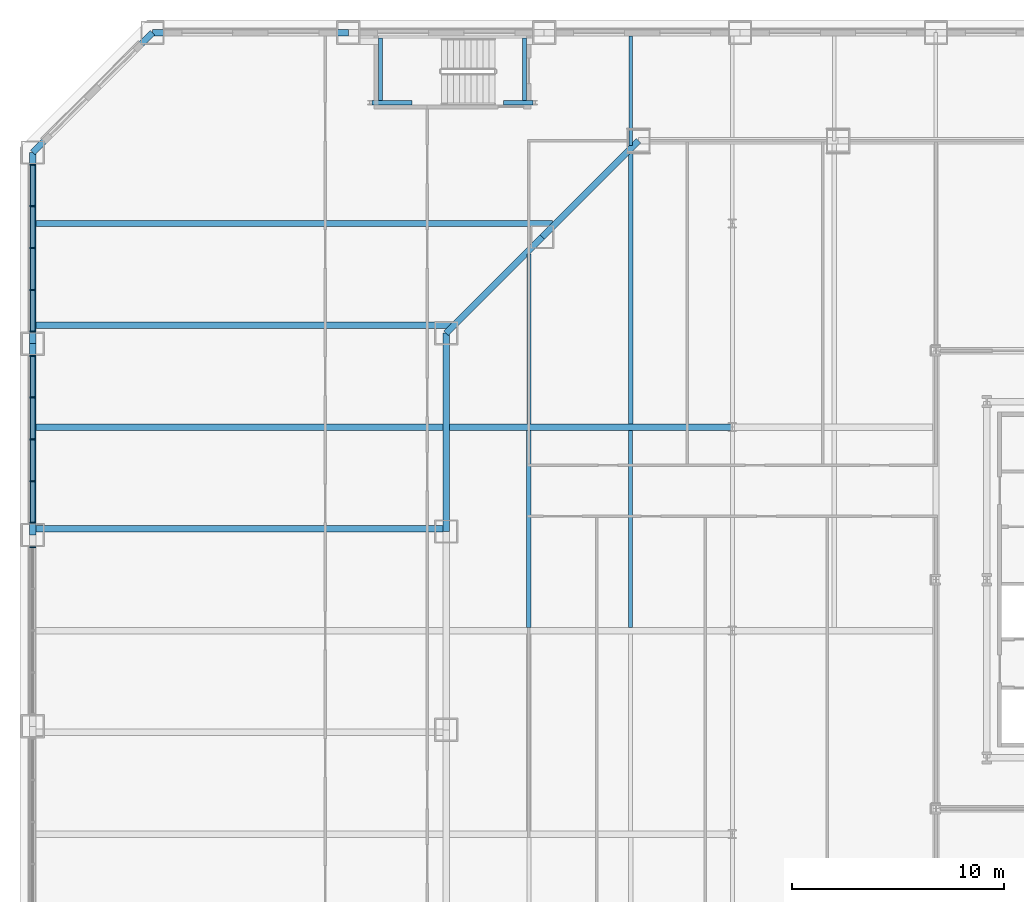
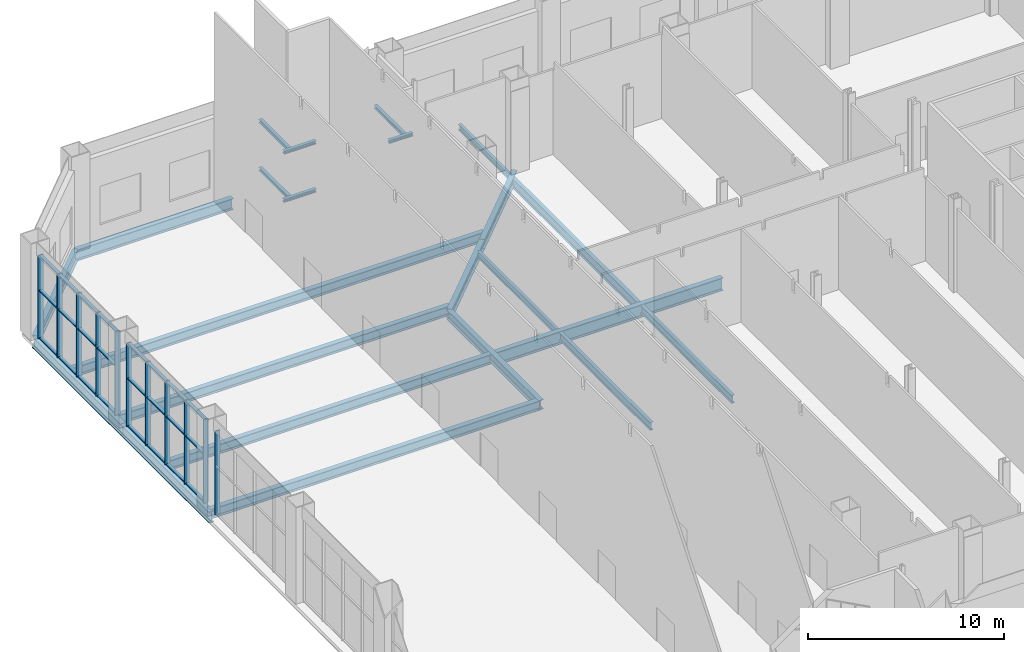
# One storey, part 11 of 31: 35 members, 23 beams, 3 elements without a shape of their own.
"""IFC4 building model written with IfcOpenShell, lengths in metres."""

from ifc_helpers import new_model, si_unit, direction, frame, origin, origin_2d, place, context, subcontext, project, spatial, rectangle, i_section, extrude, material, material_profile, profile_set, type_object, element, aggregate, save


model = new_model("IFC4")

# Units and contexts
model_context = context("Model", 3, precision=1e-05, world=origin(), true_north=direction((0.0, 1.0)))
body_context = subcontext(model_context, "Body", "Model", "MODEL_VIEW")
ifc_project = project(units=[si_unit("LENGTHUNIT", "METRE"), si_unit("AREAUNIT", "SQUARE_METRE"), si_unit("VOLUMEUNIT", "CUBIC_METRE"), si_unit("PLANEANGLEUNIT", "RADIAN"), si_unit("MASSUNIT", "GRAM", prefix="KILO")], contexts=[model_context])

# Site, building, storey
site_placement = place(None, origin())
site = spatial("IfcSite", under=ifc_project, at=site_placement, CompositionType="ELEMENT")
building_placement = place(site_placement, origin())
building = spatial("IfcBuilding", under=site, at=building_placement, Name="Cairn Pilgrim Tower", CompositionType="ELEMENT")
storey_placement = place(building_placement, frame((0.0, 0.0, 9.0)))
storey = spatial("IfcBuildingStorey", under=building, at=storey_placement, Name="L01", CompositionType="ELEMENT", Elevation=9.0)

# Curtain wall, members
ifc_material_1 = material(Name="Bronze anodised aluminium with Tinted laminated low-E glass", Category="aluminium")
curtain_wall_type = type_object("IfcCurtainWallType", Name="HALL CW", PredefinedType="NOTDEFINED", material=ifc_material_1)
curtain_wall_1_placement = place(storey_placement, origin())
curtain_wall_1 = element("IfcCurtainWall", 1, at=curtain_wall_1_placement, inside=storey, type_object=curtain_wall_type, Name="HALL CW L01 W1-W2", PredefinedType="NOTDEFINED")
ifc_material_2 = material(Name="Bronze anodised aluminium", Category="aluminium")
ifc_material_profile_1 = material_profile(ifc_material_2, rectangle(XDim=0.300048828125, YDim=0.06005859375, at=origin_2d()), Name="HALL MULLION 60x300 BRONZE")
ifc_profile_set_1 = profile_set([ifc_material_profile_1], Name="Bronze anodised aluminium")
member_type_1 = type_object("IfcMemberType", Name="HALL MULLION 60x300 BRONZE", PredefinedType="MULLION", material=ifc_profile_set_1)
member_1_placement = place(storey_placement, frame((-47.39990234375, 21.971435546875, 0.0), z_axis=(0.0, 0.0, 1.0), x_axis=(1.0, 0.0, 0.0)))
member_1 = element("IfcMember", 2, at=member_1_placement, type_object=member_type_1, Name="HCW-W1-W2 mullion 1", PredefinedType="MULLION", context=body_context, shape_type="SweptSolid", body=[
    extrude(rectangle(XDim=0.300048828125, YDim=0.06005859375, at=origin_2d()), origin(), (0.0, 0.0, 1.0), 5.199951171875),
])
member_2_placement = place(storey_placement, frame((-47.39990234375, 20.021240234375, 0.0), z_axis=(0.0, 0.0, 1.0), x_axis=(1.0, 0.0, 0.0)))
member_2 = element("IfcMember", 3, at=member_2_placement, type_object=member_type_1, Name="HCW-W1-W2 mullion 2", PredefinedType="MULLION", context=body_context, shape_type="SweptSolid", body=[
    extrude(rectangle(XDim=0.300048828125, YDim=0.06005859375, at=origin_2d()), origin(), (0.0, 0.0, 1.0), 5.199951171875),
])
member_3_placement = place(storey_placement, frame((-47.39990234375, 18.041259765625, 0.0), z_axis=(0.0, 0.0, 1.0), x_axis=(1.0, 0.0, 0.0)))
member_3 = element("IfcMember", 4, at=member_3_placement, type_object=member_type_1, Name="HCW-W1-W2 mullion 3", PredefinedType="MULLION", context=body_context, shape_type="SweptSolid", body=[
    extrude(rectangle(XDim=0.300048828125, YDim=0.06005859375, at=origin_2d()), origin(), (0.0, 0.0, 1.0), 5.199951171875),
])
member_4_placement = place(storey_placement, frame((-47.39990234375, 16.06103515625, 0.0), z_axis=(0.0, 0.0, 1.0), x_axis=(1.0, 0.0, 0.0)))
member_4 = element("IfcMember", 5, at=member_4_placement, type_object=member_type_1, Name="HCW-W1-W2 mullion 4", PredefinedType="MULLION", context=body_context, shape_type="SweptSolid", body=[
    extrude(rectangle(XDim=0.300048828125, YDim=0.06005859375, at=origin_2d()), origin(), (0.0, 0.0, 1.0), 5.199951171875),
])
member_5_placement = place(storey_placement, frame((-47.39990234375, 14.11083984375, 0.0), z_axis=(0.0, 0.0, 1.0), x_axis=(1.0, 0.0, 0.0)))
member_5 = element("IfcMember", 6, at=member_5_placement, type_object=member_type_1, Name="HCW-W1-W2 mullion 5", PredefinedType="MULLION", context=body_context, shape_type="SweptSolid", body=[
    extrude(rectangle(XDim=0.300048828125, YDim=0.06005859375, at=origin_2d()), origin(), (0.0, 0.0, 1.0), 5.199951171875),
])

curtain_wall_2_placement = place(storey_placement, origin())
curtain_wall_2 = element("IfcCurtainWall", 7, at=curtain_wall_2_placement, inside=storey, type_object=curtain_wall_type, Name="HALL CW L01 W2-W3", PredefinedType="NOTDEFINED")
member_6_placement = place(storey_placement, frame((-47.39990234375, 12.950927734375, 0.0), z_axis=(0.0, 0.0, 1.0), x_axis=(1.0, 0.0, 0.0)))
member_6 = element("IfcMember", 8, at=member_6_placement, type_object=member_type_1, Name="HCW-W2-W3 mullion 1", PredefinedType="MULLION", context=body_context, shape_type="SweptSolid", body=[
    extrude(rectangle(XDim=0.300048828125, YDim=0.06005859375, at=origin_2d()), origin(), (0.0, 0.0, 1.0), 5.199951171875),
])
member_7_placement = place(storey_placement, frame((-47.39990234375, 11.000732421875, 0.0), z_axis=(0.0, 0.0, 1.0), x_axis=(1.0, 0.0, 0.0)))
member_7 = element("IfcMember", 9, at=member_7_placement, type_object=member_type_1, Name="HCW-W2-W3 mullion 2", PredefinedType="MULLION", context=body_context, shape_type="SweptSolid", body=[
    extrude(rectangle(XDim=0.300048828125, YDim=0.06005859375, at=origin_2d()), origin(), (0.0, 0.0, 1.0), 5.199951171875),
])
member_8_placement = place(storey_placement, frame((-47.39990234375, 9.0205078125, 0.0), z_axis=(0.0, 0.0, 1.0), x_axis=(1.0, 0.0, 0.0)))
member_8 = element("IfcMember", 10, at=member_8_placement, type_object=member_type_1, Name="HCW-W2-W3 mullion 3", PredefinedType="MULLION", context=body_context, shape_type="SweptSolid", body=[
    extrude(rectangle(XDim=0.300048828125, YDim=0.06005859375, at=origin_2d()), origin(), (0.0, 0.0, 1.0), 5.199951171875),
])
member_9_placement = place(storey_placement, frame((-47.39990234375, 7.04052734375, 0.0), z_axis=(0.0, 0.0, 1.0), x_axis=(1.0, 0.0, 0.0)))
member_9 = element("IfcMember", 11, at=member_9_placement, type_object=member_type_1, Name="HCW-W2-W3 mullion 4", PredefinedType="MULLION", context=body_context, shape_type="SweptSolid", body=[
    extrude(rectangle(XDim=0.300048828125, YDim=0.06005859375, at=origin_2d()), origin(), (0.0, 0.0, 1.0), 5.199951171875),
])
member_10_placement = place(storey_placement, frame((-47.39990234375, 5.09033203125, 0.0), z_axis=(0.0, 0.0, 1.0), x_axis=(1.0, 0.0, 0.0)))
member_10 = element("IfcMember", 12, at=member_10_placement, type_object=member_type_1, Name="HCW-W2-W3 mullion 5", PredefinedType="MULLION", context=body_context, shape_type="SweptSolid", body=[
    extrude(rectangle(XDim=0.300048828125, YDim=0.06005859375, at=origin_2d()), origin(), (0.0, 0.0, 1.0), 5.199951171875),
])

# Curtain wall, member
curtain_wall_3_placement = place(storey_placement, origin())
curtain_wall_3 = element("IfcCurtainWall", 13, at=curtain_wall_3_placement, inside=storey, type_object=curtain_wall_type, Name="HALL CW L01 W3-W4", PredefinedType="NOTDEFINED")
member_11_placement = place(storey_placement, frame((-47.39990234375, 3.930419921875, 0.0), z_axis=(0.0, 0.0, 1.0), x_axis=(1.0, 0.0, 0.0)))
member_11 = element("IfcMember", 14, at=member_11_placement, type_object=member_type_1, Name="HCW-W3-W4 mullion 1", PredefinedType="MULLION", context=body_context, shape_type="SweptSolid", body=[
    extrude(rectangle(XDim=0.300048828125, YDim=0.06005859375, at=origin_2d()), origin(), (0.0, 0.0, 1.0), 5.199951171875),
])
aggregate(curtain_wall_3, [member_11])

# Member
ifc_material_profile_2 = material_profile(ifc_material_2, rectangle(XDim=0.199951171875, YDim=0.06005859375, at=origin_2d()), Name="HALL TRANSOM 60x200 BRONZE")
ifc_profile_set_2 = profile_set([ifc_material_profile_2], Name="Bronze anodised aluminium")
member_type_2 = type_object("IfcMemberType", Name="HALL TRANSOM 60x200 BRONZE", PredefinedType="USERDEFINED", material=ifc_profile_set_2)
member_12_placement = place(storey_placement, frame((-47.39990234375, 21.94140625, 0.030029296875), z_axis=(0.0, -1.0, 0.0), x_axis=(1.0, 0.0, 0.0)))
member_12 = element("IfcMember", 15, at=member_12_placement, type_object=member_type_2, Name="HCW-W1-W2 transom 1.1", ObjectType="TRANSOM", PredefinedType="USERDEFINED", context=body_context, shape_type="SweptSolid", body=[
    extrude(rectangle(XDim=0.199951171875, YDim=0.06005859375, at=origin_2d()), origin(), (0.0, 0.0, 1.0), 1.89013671875),
])

member_13_placement = place(storey_placement, frame((-47.39990234375, 21.94140625, 3.0), z_axis=(0.0, -1.0, 0.0), x_axis=(1.0, 0.0, 0.0)))
member_13 = element("IfcMember", 16, at=member_13_placement, type_object=member_type_2, Name="HCW-W1-W2 transom 1.2", ObjectType="TRANSOM", PredefinedType="USERDEFINED", context=body_context, shape_type="SweptSolid", body=[
    extrude(rectangle(XDim=0.199951171875, YDim=0.06005859375, at=origin_2d()), origin(), (0.0, 0.0, 1.0), 1.89013671875),
])

member_14_placement = place(storey_placement, frame((-47.39990234375, 21.94140625, 5.169921875), z_axis=(0.0, -1.0, 0.0), x_axis=(1.0, 0.0, 0.0)))
member_14 = element("IfcMember", 17, at=member_14_placement, type_object=member_type_2, Name="HCW-W1-W2 transom 1.3", ObjectType="TRANSOM", PredefinedType="USERDEFINED", context=body_context, shape_type="SweptSolid", body=[
    extrude(rectangle(XDim=0.199951171875, YDim=0.06005859375, at=origin_2d()), origin(), (0.0, 0.0, 1.0), 1.89013671875),
])

member_15_placement = place(storey_placement, frame((-47.39990234375, 19.991455078125, 0.030029296875), z_axis=(0.0, -1.0, 0.0), x_axis=(1.0, 0.0, 0.0)))
member_15 = element("IfcMember", 18, at=member_15_placement, type_object=member_type_2, Name="HCW-W1-W2 transom 2.1", ObjectType="TRANSOM", PredefinedType="USERDEFINED", context=body_context, shape_type="SweptSolid", body=[
    extrude(rectangle(XDim=0.199951171875, YDim=0.06005859375, at=origin_2d()), origin(), (0.0, 0.0, 1.0), 1.920166015625),
])

member_16_placement = place(storey_placement, frame((-47.39990234375, 19.991455078125, 3.0), z_axis=(0.0, -1.0, 0.0), x_axis=(1.0, 0.0, 0.0)))
member_16 = element("IfcMember", 19, at=member_16_placement, type_object=member_type_2, Name="HCW-W1-W2 transom 2.2", ObjectType="TRANSOM", PredefinedType="USERDEFINED", context=body_context, shape_type="SweptSolid", body=[
    extrude(rectangle(XDim=0.199951171875, YDim=0.06005859375, at=origin_2d()), origin(), (0.0, 0.0, 1.0), 1.920166015625),
])

member_17_placement = place(storey_placement, frame((-47.39990234375, 19.991455078125, 5.169921875), z_axis=(0.0, -1.0, 0.0), x_axis=(1.0, 0.0, 0.0)))
member_17 = element("IfcMember", 20, at=member_17_placement, type_object=member_type_2, Name="HCW-W1-W2 transom 2.3", ObjectType="TRANSOM", PredefinedType="USERDEFINED", context=body_context, shape_type="SweptSolid", body=[
    extrude(rectangle(XDim=0.199951171875, YDim=0.06005859375, at=origin_2d()), origin(), (0.0, 0.0, 1.0), 1.920166015625),
])

member_18_placement = place(storey_placement, frame((-47.39990234375, 18.01123046875, 0.030029296875), z_axis=(0.0, -1.0, 0.0), x_axis=(1.0, 0.0, 0.0)))
member_18 = element("IfcMember", 21, at=member_18_placement, type_object=member_type_2, Name="HCW-W1-W2 transom 3.1", ObjectType="TRANSOM", PredefinedType="USERDEFINED", context=body_context, shape_type="SweptSolid", body=[
    extrude(rectangle(XDim=0.199951171875, YDim=0.06005859375, at=origin_2d()), origin(), (0.0, 0.0, 1.0), 1.920166015625),
])

member_19_placement = place(storey_placement, frame((-47.39990234375, 18.01123046875, 3.0), z_axis=(0.0, -1.0, 0.0), x_axis=(1.0, 0.0, 0.0)))
member_19 = element("IfcMember", 22, at=member_19_placement, type_object=member_type_2, Name="HCW-W1-W2 transom 3.2", ObjectType="TRANSOM", PredefinedType="USERDEFINED", context=body_context, shape_type="SweptSolid", body=[
    extrude(rectangle(XDim=0.199951171875, YDim=0.06005859375, at=origin_2d()), origin(), (0.0, 0.0, 1.0), 1.920166015625),
])

member_20_placement = place(storey_placement, frame((-47.39990234375, 18.01123046875, 5.169921875), z_axis=(0.0, -1.0, 0.0), x_axis=(1.0, 0.0, 0.0)))
member_20 = element("IfcMember", 23, at=member_20_placement, type_object=member_type_2, Name="HCW-W1-W2 transom 3.3", ObjectType="TRANSOM", PredefinedType="USERDEFINED", context=body_context, shape_type="SweptSolid", body=[
    extrude(rectangle(XDim=0.199951171875, YDim=0.06005859375, at=origin_2d()), origin(), (0.0, 0.0, 1.0), 1.920166015625),
])

member_21_placement = place(storey_placement, frame((-47.39990234375, 16.031005859375, 0.030029296875), z_axis=(0.0, -1.0, 0.0), x_axis=(1.0, 0.0, 0.0)))
member_21 = element("IfcMember", 24, at=member_21_placement, type_object=member_type_2, Name="HCW-W1-W2 transom 4.1", ObjectType="TRANSOM", PredefinedType="USERDEFINED", context=body_context, shape_type="SweptSolid", body=[
    extrude(rectangle(XDim=0.199951171875, YDim=0.06005859375, at=origin_2d()), origin(), (0.0, 0.0, 1.0), 1.89013671875),
])

member_22_placement = place(storey_placement, frame((-47.39990234375, 16.031005859375, 3.0), z_axis=(0.0, -1.0, 0.0), x_axis=(1.0, 0.0, 0.0)))
member_22 = element("IfcMember", 25, at=member_22_placement, type_object=member_type_2, Name="HCW-W1-W2 transom 4.2", ObjectType="TRANSOM", PredefinedType="USERDEFINED", context=body_context, shape_type="SweptSolid", body=[
    extrude(rectangle(XDim=0.199951171875, YDim=0.06005859375, at=origin_2d()), origin(), (0.0, 0.0, 1.0), 1.89013671875),
])

member_23_placement = place(storey_placement, frame((-47.39990234375, 16.031005859375, 5.169921875), z_axis=(0.0, -1.0, 0.0), x_axis=(1.0, 0.0, 0.0)))
member_23 = element("IfcMember", 26, at=member_23_placement, type_object=member_type_2, Name="HCW-W1-W2 transom 4.3", ObjectType="TRANSOM", PredefinedType="USERDEFINED", context=body_context, shape_type="SweptSolid", body=[
    extrude(rectangle(XDim=0.199951171875, YDim=0.06005859375, at=origin_2d()), origin(), (0.0, 0.0, 1.0), 1.89013671875),
])

aggregate(curtain_wall_1, [member_1, member_2, member_3, member_4, member_5, member_12, member_13, member_14, member_15, member_16, member_17, member_18, member_19, member_20, member_21, member_22, member_23])

member_24_placement = place(storey_placement, frame((-47.39990234375, 12.9208984375, 0.030029296875), z_axis=(0.0, -1.0, 0.0), x_axis=(1.0, 0.0, 0.0)))
member_24 = element("IfcMember", 27, at=member_24_placement, type_object=member_type_2, Name="HCW-W2-W3 transom 1.1", ObjectType="TRANSOM", PredefinedType="USERDEFINED", context=body_context, shape_type="SweptSolid", body=[
    extrude(rectangle(XDim=0.199951171875, YDim=0.06005859375, at=origin_2d()), origin(), (0.0, 0.0, 1.0), 1.89013671875),
])

member_25_placement = place(storey_placement, frame((-47.39990234375, 12.9208984375, 3.0), z_axis=(0.0, -1.0, 0.0), x_axis=(1.0, 0.0, 0.0)))
member_25 = element("IfcMember", 28, at=member_25_placement, type_object=member_type_2, Name="HCW-W2-W3 transom 1.2", ObjectType="TRANSOM", PredefinedType="USERDEFINED", context=body_context, shape_type="SweptSolid", body=[
    extrude(rectangle(XDim=0.199951171875, YDim=0.06005859375, at=origin_2d()), origin(), (0.0, 0.0, 1.0), 1.89013671875),
])

member_26_placement = place(storey_placement, frame((-47.39990234375, 12.9208984375, 5.169921875), z_axis=(0.0, -1.0, 0.0), x_axis=(1.0, 0.0, 0.0)))
member_26 = element("IfcMember", 29, at=member_26_placement, type_object=member_type_2, Name="HCW-W2-W3 transom 1.3", ObjectType="TRANSOM", PredefinedType="USERDEFINED", context=body_context, shape_type="SweptSolid", body=[
    extrude(rectangle(XDim=0.199951171875, YDim=0.06005859375, at=origin_2d()), origin(), (0.0, 0.0, 1.0), 1.89013671875),
])

member_27_placement = place(storey_placement, frame((-47.39990234375, 10.970703125, 0.030029296875), z_axis=(0.0, -1.0, 0.0), x_axis=(1.0, 0.0, 0.0)))
member_27 = element("IfcMember", 30, at=member_27_placement, type_object=member_type_2, Name="HCW-W2-W3 transom 2.1", ObjectType="TRANSOM", PredefinedType="USERDEFINED", context=body_context, shape_type="SweptSolid", body=[
    extrude(rectangle(XDim=0.199951171875, YDim=0.06005859375, at=origin_2d()), origin(), (0.0, 0.0, 1.0), 1.920166015625),
])

member_28_placement = place(storey_placement, frame((-47.39990234375, 10.970703125, 3.0), z_axis=(0.0, -1.0, 0.0), x_axis=(1.0, 0.0, 0.0)))
member_28 = element("IfcMember", 31, at=member_28_placement, type_object=member_type_2, Name="HCW-W2-W3 transom 2.2", ObjectType="TRANSOM", PredefinedType="USERDEFINED", context=body_context, shape_type="SweptSolid", body=[
    extrude(rectangle(XDim=0.199951171875, YDim=0.06005859375, at=origin_2d()), origin(), (0.0, 0.0, 1.0), 1.920166015625),
])

member_29_placement = place(storey_placement, frame((-47.39990234375, 10.970703125, 5.169921875), z_axis=(0.0, -1.0, 0.0), x_axis=(1.0, 0.0, 0.0)))
member_29 = element("IfcMember", 32, at=member_29_placement, type_object=member_type_2, Name="HCW-W2-W3 transom 2.3", ObjectType="TRANSOM", PredefinedType="USERDEFINED", context=body_context, shape_type="SweptSolid", body=[
    extrude(rectangle(XDim=0.199951171875, YDim=0.06005859375, at=origin_2d()), origin(), (0.0, 0.0, 1.0), 1.920166015625),
])

member_30_placement = place(storey_placement, frame((-47.39990234375, 8.990478515625, 0.030029296875), z_axis=(0.0, -1.0, 0.0), x_axis=(1.0, 0.0, 0.0)))
member_30 = element("IfcMember", 33, at=member_30_placement, type_object=member_type_2, Name="HCW-W2-W3 transom 3.1", ObjectType="TRANSOM", PredefinedType="USERDEFINED", context=body_context, shape_type="SweptSolid", body=[
    extrude(rectangle(XDim=0.199951171875, YDim=0.06005859375, at=origin_2d()), origin(), (0.0, 0.0, 1.0), 1.919921875),
])

member_31_placement = place(storey_placement, frame((-47.39990234375, 8.990478515625, 3.0), z_axis=(0.0, -1.0, 0.0), x_axis=(1.0, 0.0, 0.0)))
member_31 = element("IfcMember", 34, at=member_31_placement, type_object=member_type_2, Name="HCW-W2-W3 transom 3.2", ObjectType="TRANSOM", PredefinedType="USERDEFINED", context=body_context, shape_type="SweptSolid", body=[
    extrude(rectangle(XDim=0.199951171875, YDim=0.06005859375, at=origin_2d()), origin(), (0.0, 0.0, 1.0), 1.919921875),
])

member_32_placement = place(storey_placement, frame((-47.39990234375, 8.990478515625, 5.169921875), z_axis=(0.0, -1.0, 0.0), x_axis=(1.0, 0.0, 0.0)))
member_32 = element("IfcMember", 35, at=member_32_placement, type_object=member_type_2, Name="HCW-W2-W3 transom 3.3", ObjectType="TRANSOM", PredefinedType="USERDEFINED", context=body_context, shape_type="SweptSolid", body=[
    extrude(rectangle(XDim=0.199951171875, YDim=0.06005859375, at=origin_2d()), origin(), (0.0, 0.0, 1.0), 1.919921875),
])

member_33_placement = place(storey_placement, frame((-47.39990234375, 7.010498046875, 0.030029296875), z_axis=(0.0, -1.0, 0.0), x_axis=(1.0, 0.0, 0.0)))
member_33 = element("IfcMember", 36, at=member_33_placement, type_object=member_type_2, Name="HCW-W2-W3 transom 4.1", ObjectType="TRANSOM", PredefinedType="USERDEFINED", context=body_context, shape_type="SweptSolid", body=[
    extrude(rectangle(XDim=0.199951171875, YDim=0.06005859375, at=origin_2d()), origin(), (0.0, 0.0, 1.0), 1.89013671875),
])

member_34_placement = place(storey_placement, frame((-47.39990234375, 7.010498046875, 3.0), z_axis=(0.0, -1.0, 0.0), x_axis=(1.0, 0.0, 0.0)))
member_34 = element("IfcMember", 37, at=member_34_placement, type_object=member_type_2, Name="HCW-W2-W3 transom 4.2", ObjectType="TRANSOM", PredefinedType="USERDEFINED", context=body_context, shape_type="SweptSolid", body=[
    extrude(rectangle(XDim=0.199951171875, YDim=0.06005859375, at=origin_2d()), origin(), (0.0, 0.0, 1.0), 1.89013671875),
])

member_35_placement = place(storey_placement, frame((-47.39990234375, 7.010498046875, 5.169921875), z_axis=(0.0, -1.0, 0.0), x_axis=(1.0, 0.0, 0.0)))
member_35 = element("IfcMember", 38, at=member_35_placement, type_object=member_type_2, Name="HCW-W2-W3 transom 4.3", ObjectType="TRANSOM", PredefinedType="USERDEFINED", context=body_context, shape_type="SweptSolid", body=[
    extrude(rectangle(XDim=0.199951171875, YDim=0.06005859375, at=origin_2d()), origin(), (0.0, 0.0, 1.0), 1.89013671875),
])

aggregate(curtain_wall_2, [member_6, member_7, member_8, member_9, member_10, member_24, member_25, member_26, member_27, member_28, member_29, member_30, member_31, member_32, member_33, member_34, member_35])

# Beams
ifc_material_3 = material(Name="Structural steel S355J2", Category="steel")
ifc_material_profile_3 = material_profile(ifc_material_3, i_section(OverallWidth=0.300048828125, OverallDepth=0.60009765625, WebThickness=0.015380859375, FlangeThickness=0.030029296875, FilletRadius=0.027099609375, at=origin_2d()), Name="HEB 600")
ifc_profile_set_3 = profile_set([ifc_material_profile_3], Name="Structural steel S355J2")
beam_type_1 = type_object("IfcBeamType", Name="PODIUM BEAM HE 600 B", PredefinedType="BEAM", material=ifc_profile_set_3)
beam_1_placement = place(storey_placement, frame((-47.39990234375, 4.800048828125, -0.5), z_axis=(1.0, 0.0, 0.0), x_axis=(0.0, 1.0, 0.0)))
element("IfcBeam", 39, at=beam_1_placement, inside=storey, type_object=beam_type_1, Name="PODIUM BEAM PB-HE600B", PredefinedType="BEAM", context=body_context, shape_type="SweptSolid", body=[
    extrude(i_section(OverallWidth=0.300048828125, OverallDepth=0.60009765625, WebThickness=0.015380859375, FlangeThickness=0.030029296875, FilletRadius=0.027099609375, at=origin_2d()), origin(), (0.0, 0.0, 1.0), 19.5),
])
beam_2_placement = place(storey_placement, frame((-47.248046875, 9.60009765625, -0.5), z_axis=(1.0, 0.0, 0.0), x_axis=(0.0, 1.0, 0.0)))
element("IfcBeam", 40, at=beam_2_placement, inside=storey, type_object=beam_type_1, Name="PODIUM BEAM PB-HE600B", PredefinedType="BEAM", context=body_context, shape_type="SweptSolid", body=[
    extrude(i_section(OverallWidth=0.300048828125, OverallDepth=0.60009765625, WebThickness=0.015380859375, FlangeThickness=0.030029296875, FilletRadius=0.027099609375, at=origin_2d()), origin(), (0.0, 0.0, 1.0), 19.196044921875),
])
beam_3_placement = place(storey_placement, frame((-47.248046875, 14.39990234375, -0.5), z_axis=(1.0, 0.0, 0.0), x_axis=(0.0, 1.0, 0.0)))
element("IfcBeam", 41, at=beam_3_placement, inside=storey, type_object=beam_type_1, Name="PODIUM BEAM PB-HE600B", PredefinedType="BEAM", context=body_context, shape_type="SweptSolid", body=[
    extrude(i_section(OverallWidth=0.300048828125, OverallDepth=0.60009765625, WebThickness=0.015380859375, FlangeThickness=0.030029296875, FilletRadius=0.027099609375, at=origin_2d()), origin(), (0.0, 0.0, 1.0), 19.56884765625),
])
beam_4_placement = place(storey_placement, frame((-47.248046875, 19.199951171875, -0.5), z_axis=(1.0, 0.0, 0.0), x_axis=(0.0, 1.0, 0.0)))
element("IfcBeam", 42, at=beam_4_placement, inside=storey, type_object=beam_type_1, Name="PODIUM BEAM PB-HE600B", PredefinedType="BEAM", context=body_context, shape_type="SweptSolid", body=[
    extrude(i_section(OverallWidth=0.300048828125, OverallDepth=0.60009765625, WebThickness=0.015380859375, FlangeThickness=0.030029296875, FilletRadius=0.027099609375, at=origin_2d()), origin(), (0.0, 0.0, 1.0), 24.368896484375),
])
ifc_material_profile_4 = material_profile(ifc_material_3, i_section(OverallWidth=0.169921875, OverallDepth=0.360107421875, WebThickness=0.008056640625, FlangeThickness=0.0126953125, FilletRadius=0.01806640625, at=origin_2d()), Name="IPE 360")
ifc_profile_set_4 = profile_set([ifc_material_profile_4], Name="Structural steel S355J2")
beam_type_2 = type_object("IfcBeamType", Name="PODIUM BEAM IPE 360", PredefinedType="BEAM", material=ifc_profile_set_4)
beam_5_placement = place(storey_placement, frame((-19.199951171875, 22.879150390625, -0.3798828125), z_axis=(0.0, 1.0, 0.0), x_axis=(-1.0, 0.0, 0.0)))
element("IfcBeam", 43, at=beam_5_placement, inside=storey, type_object=beam_type_2, Name="PODIUM BEAM PB-IPE360", PredefinedType="BEAM", context=body_context, shape_type="SweptSolid", body=[
    extrude(i_section(OverallWidth=0.169921875, OverallDepth=0.360107421875, WebThickness=0.008056640625, FlangeThickness=0.0126953125, FilletRadius=0.01806640625, at=origin_2d()), origin(), (0.0, 0.0, 1.0), 5.1689453125),
])
ifc_material_profile_5 = material_profile(ifc_material_3, i_section(OverallWidth=0.179931640625, OverallDepth=0.39990234375, WebThickness=0.008544921875, FlangeThickness=0.013427734375, FilletRadius=0.02099609375, at=origin_2d()), Name="IPE 400")
ifc_profile_set_5 = profile_set([ifc_material_profile_5], Name="Structural steel S355J2")
beam_type_3 = type_object("IfcBeamType", Name="PODIUM BEAM IPE 400", PredefinedType="BEAM", material=ifc_profile_set_5)
beam_6_placement = place(storey_placement, frame((-24.0, 9.751953125, -0.39990234375), z_axis=(0.0, 1.0, 0.0), x_axis=(-1.0, 0.0, 0.0)))
element("IfcBeam", 44, at=beam_6_placement, inside=storey, type_object=beam_type_3, Name="PODIUM BEAM PB-IPE400", PredefinedType="BEAM", context=body_context, shape_type="SweptSolid", body=[
    extrude(i_section(OverallWidth=0.179931640625, OverallDepth=0.39990234375, WebThickness=0.008544921875, FlangeThickness=0.013427734375, FilletRadius=0.02099609375, at=origin_2d()), origin(), (0.0, 0.0, 1.0), 8.023193359375),
])
ifc_material_profile_6 = material_profile(ifc_material_3, i_section(OverallWidth=0.199951171875, OverallDepth=0.5, WebThickness=0.01025390625, FlangeThickness=0.01611328125, FilletRadius=0.02099609375, at=origin_2d()), Name="IPE 500")
ifc_profile_set_6 = profile_set([ifc_material_profile_6], Name="Structural steel S355J2")
beam_type_4 = type_object("IfcBeamType", Name="PODIUM BEAM IPE 500", PredefinedType="BEAM", material=ifc_profile_set_6)
for number, where, z_axis, x_axis, name in (
    (45, (-24.0, 0.152099609375, -0.449951171875), (0.0, 1.0, 0.0), (-1.0, 0.0, 0.0), "PODIUM BEAM PB-IPE500"),
    (46, (-19.199951171875, 0.152099609375, -0.449951171875), (0.0, 1.0, 0.0), (-1.0, 0.0, 0.0), "PODIUM BEAM PB-IPE500"),
):
    element("IfcBeam", number, at=place(storey_placement, frame(where, z_axis=z_axis, x_axis=x_axis)), inside=storey, type_object=beam_type_4, Name=name, PredefinedType="BEAM", context=body_context, shape_type="SweptSolid", body=[
        extrude(i_section(OverallWidth=0.199951171875, OverallDepth=0.5, WebThickness=0.01025390625, FlangeThickness=0.01611328125, FilletRadius=0.02099609375, at=origin_2d()), origin(), (0.0, 0.0, 1.0), 9.2958984375),
    ])
ifc_material_profile_7 = material_profile(ifc_material_3, i_section(OverallWidth=0.219970703125, OverallDepth=0.60009765625, WebThickness=0.011962890625, FlangeThickness=0.01904296875, FilletRadius=0.02392578125, at=origin_2d()), Name="IPE 600")
ifc_profile_set_7 = profile_set([ifc_material_profile_7], Name="Structural steel S355J2")
beam_type_5 = type_object("IfcBeamType", Name="PODIUM BEAM IPE 600", PredefinedType="BEAM", material=ifc_profile_set_7)
beam_7_placement = place(storey_placement, frame((-19.199951171875, 9.751953125, -0.5), z_axis=(0.0, 1.0, 0.0), x_axis=(-1.0, 0.0, 0.0)))
element("IfcBeam", 47, at=beam_7_placement, inside=storey, type_object=beam_type_5, Name="PODIUM BEAM PB-IPE600", PredefinedType="BEAM", context=body_context, shape_type="SweptSolid", body=[
    extrude(i_section(OverallWidth=0.219970703125, OverallDepth=0.60009765625, WebThickness=0.011962890625, FlangeThickness=0.01904296875, FilletRadius=0.02392578125, at=origin_2d()), origin(), (0.0, 0.0, 1.0), 12.8232421875),
])
ifc_material_profile_8 = material_profile(ifc_material_3, i_section(OverallWidth=0.300048828125, OverallDepth=0.699951171875, WebThickness=0.01708984375, FlangeThickness=0.031982421875, FilletRadius=0.027099609375, at=origin_2d()), Name="HEB 700")
ifc_profile_set_8 = profile_set([ifc_material_profile_8], Name="Structural steel S355J2")
beam_type_6 = type_object("IfcBeamType", Name="PODIUM EDGE GIRDER HE 700 B", PredefinedType="BEAM", material=ifc_profile_set_8)
beam_8_placement = place(storey_placement, frame((-32.513671875, 28.199951171875, -0.550048828125), z_axis=(-1.0, 0.0, 0.0), x_axis=(0.0, -1.0, 0.0)))
element("IfcBeam", 48, at=beam_8_placement, inside=storey, type_object=beam_type_6, Name="PODIUM EDGE GIRDER PE-HE700B", PredefinedType="BEAM", context=body_context, shape_type="SweptSolid", body=[
    extrude(i_section(OverallWidth=0.300048828125, OverallDepth=0.699951171875, WebThickness=0.01708984375, FlangeThickness=0.031982421875, FilletRadius=0.027099609375, at=origin_2d()), origin(), (0.0, 0.0, 1.0), 9.23779296875),
])
beam_9_placement = place(storey_placement, frame((-41.75146484375, 28.199951171875, -0.550048828125), z_axis=(-0.707106781187, -0.707106781187, 0.0), x_axis=(0.707106781187, -0.707106781187, 0.0)))
element("IfcBeam", 49, at=beam_9_placement, inside=storey, type_object=beam_type_6, Name="PODIUM EDGE GIRDER PE-HE700B", PredefinedType="BEAM", context=body_context, shape_type="SweptSolid", body=[
    extrude(i_section(OverallWidth=0.300048828125, OverallDepth=0.699951171875, WebThickness=0.01708984375, FlangeThickness=0.031982421875, FilletRadius=0.027099609375, at=origin_2d()), origin(), (0.0, 0.0, 1.0), 7.988037109375),
])
beam_10_placement = place(storey_placement, frame((-47.39990234375, 22.551513671875, -0.550048828125), z_axis=(0.0, -1.0, 0.0), x_axis=(1.0, 0.0, 0.0)))
element("IfcBeam", 50, at=beam_10_placement, inside=storey, type_object=beam_type_6, Name="PODIUM EDGE GIRDER PE-HE700B", PredefinedType="BEAM", context=body_context, shape_type="SweptSolid", body=[
    extrude(i_section(OverallWidth=0.300048828125, OverallDepth=0.699951171875, WebThickness=0.01708984375, FlangeThickness=0.031982421875, FilletRadius=0.027099609375, at=origin_2d()), origin(), (0.0, 0.0, 1.0), 9.0205078125),
])
beam_11_placement = place(storey_placement, frame((-47.39990234375, 13.531005859375, -0.550048828125), z_axis=(0.0, -1.0, 0.0), x_axis=(1.0, 0.0, 0.0)))
element("IfcBeam", 51, at=beam_11_placement, inside=storey, type_object=beam_type_6, Name="PODIUM EDGE GIRDER PE-HE700B", PredefinedType="BEAM", context=body_context, shape_type="SweptSolid", body=[
    extrude(i_section(OverallWidth=0.300048828125, OverallDepth=0.699951171875, WebThickness=0.01708984375, FlangeThickness=0.031982421875, FilletRadius=0.027099609375, at=origin_2d()), origin(), (0.0, 0.0, 1.0), 9.020751953125),
])
ifc_material_profile_9 = material_profile(ifc_material_3, i_section(OverallWidth=0.300048828125, OverallDepth=0.60009765625, WebThickness=0.015380859375, FlangeThickness=0.030029296875, FilletRadius=0.027099609375, at=origin_2d()), Name="HEB 600")
ifc_profile_set_9 = profile_set([ifc_material_profile_9], Name="Structural steel S355J2")
beam_type_7 = type_object("IfcBeamType", Name="PODIUM GIRDER HE 600 B", PredefinedType="BEAM", material=ifc_profile_set_9)
for number, where, z_axis, x_axis, name in (
    (52, (-18.8271484375, 23.10009765625, -0.5), (-0.707106781187, -0.707106781187, 0.0), (0.707106781187, -0.707106781187, 0.0), "PODIUM GIRDER PG-HE600B"),
    (53, (-23.363525390625, 18.563720703125, -0.5), (-0.707087753759, -0.707125808102, 0.0), (0.707125808102, -0.707087753759, 0.0), "PODIUM GIRDER PG-HE600B"),
):
    element("IfcBeam", number, at=place(storey_placement, frame(where, z_axis=z_axis, x_axis=x_axis)), inside=storey, type_object=beam_type_7, Name=name, PredefinedType="BEAM", context=body_context, shape_type="SweptSolid", body=[
        extrude(i_section(OverallWidth=0.300048828125, OverallDepth=0.60009765625, WebThickness=0.015380859375, FlangeThickness=0.030029296875, FilletRadius=0.027099609375, at=origin_2d()), origin(), (0.0, 0.0, 1.0), 6.41552734375),
    ])
beam_12_placement = place(storey_placement, frame((-27.89990234375, 14.027099609375, -0.5), z_axis=(0.0, -1.0, 0.0), x_axis=(1.0, 0.0, 0.0)))
element("IfcBeam", 54, at=beam_12_placement, inside=storey, type_object=beam_type_7, Name="PODIUM GIRDER PG-HE600B", PredefinedType="BEAM", context=body_context, shape_type="SweptSolid", body=[
    extrude(i_section(OverallWidth=0.300048828125, OverallDepth=0.60009765625, WebThickness=0.015380859375, FlangeThickness=0.030029296875, FilletRadius=0.027099609375, at=origin_2d()), origin(), (0.0, 0.0, 1.0), 9.351318359375),
])
ifc_material_profile_10 = material_profile(ifc_material_3, i_section(OverallWidth=0.300048828125, OverallDepth=0.800048828125, WebThickness=0.017578125, FlangeThickness=0.032958984375, FilletRadius=0.030029296875, at=origin_2d()), Name="HEB 800")
ifc_profile_set_10 = profile_set([ifc_material_profile_10], Name="Structural steel S355J2")
beam_type_8 = type_object("IfcBeamType", Name="PODIUM GIRDER HE 800 B", PredefinedType="BEAM", material=ifc_profile_set_10)
beam_13_placement = place(storey_placement, frame((-27.748046875, 9.60009765625, -0.60009765625), z_axis=(1.0, 0.0, 0.0), x_axis=(0.0, 1.0, 0.0)))
element("IfcBeam", 55, at=beam_13_placement, inside=storey, type_object=beam_type_8, Name="PODIUM GIRDER PG-HE800B", PredefinedType="BEAM", context=body_context, shape_type="SweptSolid", body=[
    extrude(i_section(OverallWidth=0.300048828125, OverallDepth=0.800048828125, WebThickness=0.017578125, FlangeThickness=0.032958984375, FilletRadius=0.030029296875, at=origin_2d()), origin(), (0.0, 0.0, 1.0), 13.34814453125),
])
ifc_material_profile_11 = material_profile(ifc_material_3, i_section(OverallWidth=0.199951171875, OverallDepth=0.199951171875, WebThickness=0.009033203125, FlangeThickness=0.014892578125, FilletRadius=0.01806640625, at=origin_2d()), Name="HE 200 B")
ifc_profile_set_11 = profile_set([ifc_material_profile_11], Name="Structural steel S355J2")
beam_type_9 = type_object("IfcBeamType", Name="STAIR LANDING BEAM HE 200 B", PredefinedType="BEAM", material=ifc_profile_set_11)
beam_14_placement = place(storey_placement, frame((-31.39990234375, 24.89990234375, 1.199951171875), z_axis=(1.0, 0.0, 0.0), x_axis=(0.0, 1.0, 0.0)))
element("IfcBeam", 56, at=beam_14_placement, inside=storey, type_object=beam_type_9, Name="STAIR LANDING BEAM LD-HE200B", PredefinedType="BEAM", context=body_context, shape_type="SweptSolid", body=[
    extrude(i_section(OverallWidth=0.199951171875, OverallDepth=0.199951171875, WebThickness=0.009033203125, FlangeThickness=0.014892578125, FilletRadius=0.01806640625, at=origin_2d()), origin(), (0.0, 0.0, 1.0), 1.89990234375),
])
beam_15_placement = place(storey_placement, frame((-30.9951171875, 25.0, 1.199951171875), z_axis=(0.0, 1.0, 0.0), x_axis=(-1.0, 0.0, 0.0)))
element("IfcBeam", 57, at=beam_15_placement, inside=storey, type_object=beam_type_9, Name="STAIR LANDING BEAM LD-HE200B", PredefinedType="BEAM", context=body_context, shape_type="SweptSolid", body=[
    extrude(i_section(OverallWidth=0.199951171875, OverallDepth=0.199951171875, WebThickness=0.009033203125, FlangeThickness=0.014892578125, FilletRadius=0.01806640625, at=origin_2d()), origin(), (0.0, 0.0, 1.0), 2.949951171875),
])
beam_16_placement = place(storey_placement, frame((-23.800048828125, 24.89990234375, 2.699951171875), z_axis=(-1.0, 0.0, 0.0), x_axis=(0.0, -1.0, 0.0)))
element("IfcBeam", 58, at=beam_16_placement, inside=storey, type_object=beam_type_9, Name="STAIR LANDING BEAM LD-HE200B", PredefinedType="BEAM", context=body_context, shape_type="SweptSolid", body=[
    extrude(i_section(OverallWidth=0.199951171875, OverallDepth=0.199951171875, WebThickness=0.009033203125, FlangeThickness=0.014892578125, FilletRadius=0.01806640625, at=origin_2d()), origin(), (0.0, 0.0, 1.0), 1.39990234375),
])
beam_17_placement = place(storey_placement, frame((-24.205078125, 25.0, 2.699951171875), z_axis=(0.0, 1.0, 0.0), x_axis=(-1.0, 0.0, 0.0)))
element("IfcBeam", 59, at=beam_17_placement, inside=storey, type_object=beam_type_9, Name="STAIR LANDING BEAM LD-HE200B", PredefinedType="BEAM", context=body_context, shape_type="SweptSolid", body=[
    extrude(i_section(OverallWidth=0.199951171875, OverallDepth=0.199951171875, WebThickness=0.009033203125, FlangeThickness=0.014892578125, FilletRadius=0.01806640625, at=origin_2d()), origin(), (0.0, 0.0, 1.0), 2.949951171875),
])
beam_18_placement = place(storey_placement, frame((-31.39990234375, 24.89990234375, 4.199951171875), z_axis=(1.0, 0.0, 0.0), x_axis=(0.0, 1.0, 0.0)))
element("IfcBeam", 60, at=beam_18_placement, inside=storey, type_object=beam_type_9, Name="STAIR LANDING BEAM LD-HE200B", PredefinedType="BEAM", context=body_context, shape_type="SweptSolid", body=[
    extrude(i_section(OverallWidth=0.199951171875, OverallDepth=0.199951171875, WebThickness=0.009033203125, FlangeThickness=0.014892578125, FilletRadius=0.01806640625, at=origin_2d()), origin(), (0.0, 0.0, 1.0), 1.89990234375),
])
beam_19_placement = place(storey_placement, frame((-30.9951171875, 25.0, 4.199951171875), z_axis=(0.0, 1.0, 0.0), x_axis=(-1.0, 0.0, 0.0)))
element("IfcBeam", 61, at=beam_19_placement, inside=storey, type_object=beam_type_9, Name="STAIR LANDING BEAM LD-HE200B", PredefinedType="BEAM", context=body_context, shape_type="SweptSolid", body=[
    extrude(i_section(OverallWidth=0.199951171875, OverallDepth=0.199951171875, WebThickness=0.009033203125, FlangeThickness=0.014892578125, FilletRadius=0.01806640625, at=origin_2d()), origin(), (0.0, 0.0, 1.0), 2.949951171875),
])

save(model, "model.ifc")
